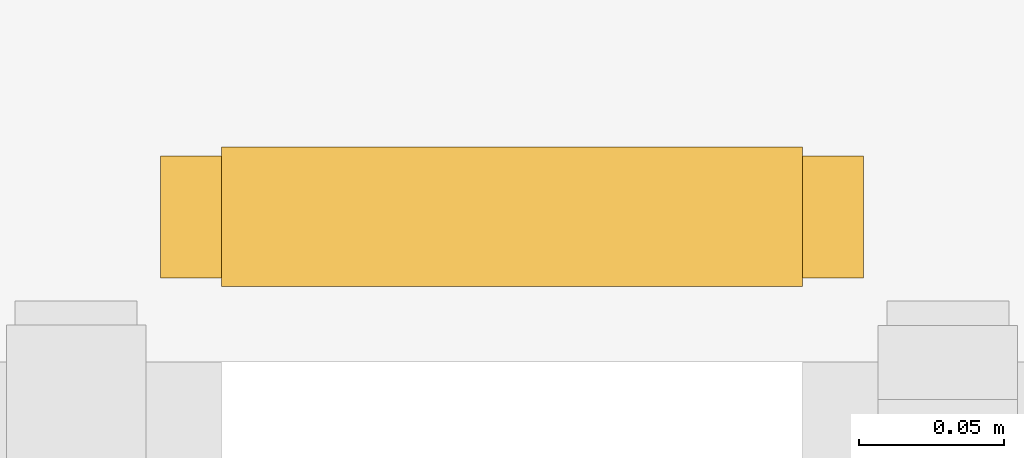
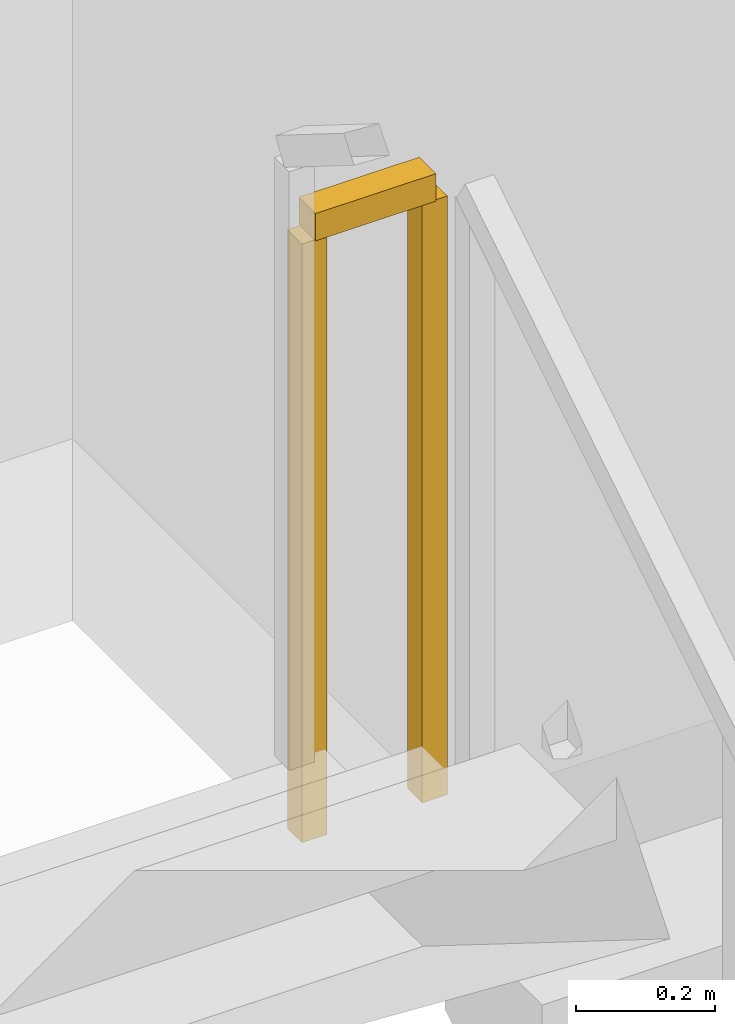
# One storey, part 17 of 22: 1 railing.
"""IFC4 building model written with IfcOpenShell, lengths in metres."""

from ifc_helpers import new_model, si_unit, direction, frame, origin, origin_2d, place, context, subcontext, project, spatial, rectangle, extrude, material, type_object, element, save


model = new_model("IFC4")

# Units and contexts
model_context = context("Model", 3, precision=1e-05, world=origin(), true_north=direction((0.0, 1.0)))
body_context = subcontext(model_context, "Body", "Model", "MODEL_VIEW")
ifc_project = project(units=[si_unit("LENGTHUNIT", "METRE"), si_unit("AREAUNIT", "SQUARE_METRE"), si_unit("VOLUMEUNIT", "CUBIC_METRE"), si_unit("PLANEANGLEUNIT", "RADIAN"), si_unit("MASSUNIT", "GRAM", prefix="KILO")], contexts=[model_context])

# Site, building, storey
site_placement = place(None, origin())
site = spatial("IfcSite", under=ifc_project, at=site_placement, CompositionType="ELEMENT")
building_placement = place(site_placement, origin())
building = spatial("IfcBuilding", under=site, at=building_placement, Name="Kiyonajd Concourse Tower", CompositionType="ELEMENT")
storey_placement = place(building_placement, frame((0.0, 0.0, 12.89990234375)))
storey = spatial("IfcBuildingStorey", under=building, at=storey_placement, Name="L04", CompositionType="ELEMENT", Elevation=12.89990234375)

# Railing
ifc_material = material(Name="Steel ASTM A500 Grade C", Category="steel")
railing_type = type_object("IfcRailingType", Name="RL-GRD-STR", PredefinedType="GUARDRAIL", material=ifc_material)
railing_placement = place(storey_placement, frame((11.300048828125, 32.780029296875, 2.10009765625)))
element("IfcRailing", 1, at=railing_placement, inside=storey, type_object=railing_type, Name="L04 ST4 stair guard 2", PredefinedType="GUARDRAIL", context=body_context, shape_type="SweptSolid", body=[
    extrude(rectangle(XDim=0.048095703125, YDim=0.048095703125, at=origin_2d()), frame((0.0, 0.0, 1.076171875), z_axis=(-1.0, 0.0, 0.0), x_axis=(0.0, -1.0, 0.0)), (0.0, 0.0, 1.0), 0.199951171875),
    extrude(rectangle(XDim=0.0419921875, YDim=0.0419921875, at=origin_2d()), origin(), (0.0, 0.0, 1.0), 1.052001953125),
    extrude(rectangle(XDim=0.0419921875, YDim=0.0419921875, at=origin_2d()), frame((-0.199951171875, 0.0, 0.0)), (0.0, 0.0, 1.0), 1.052001953125),
])

save(model, "model.ifc")
